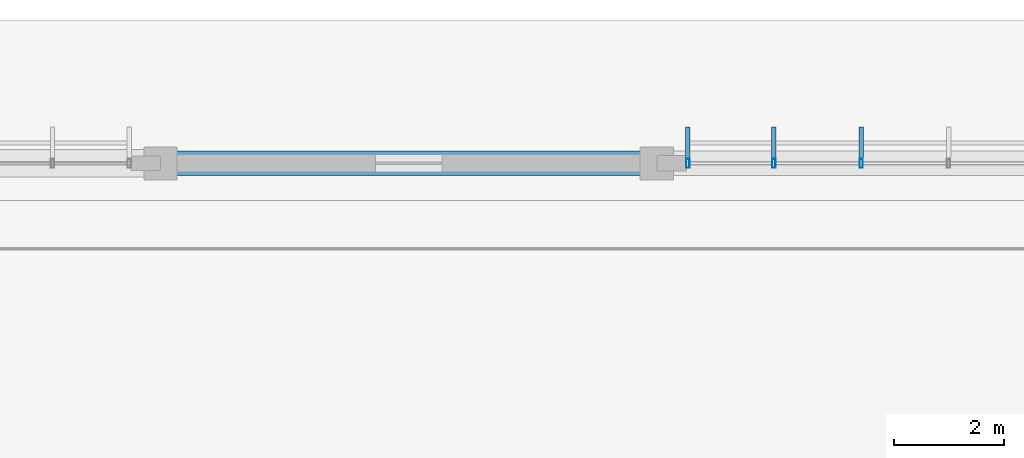
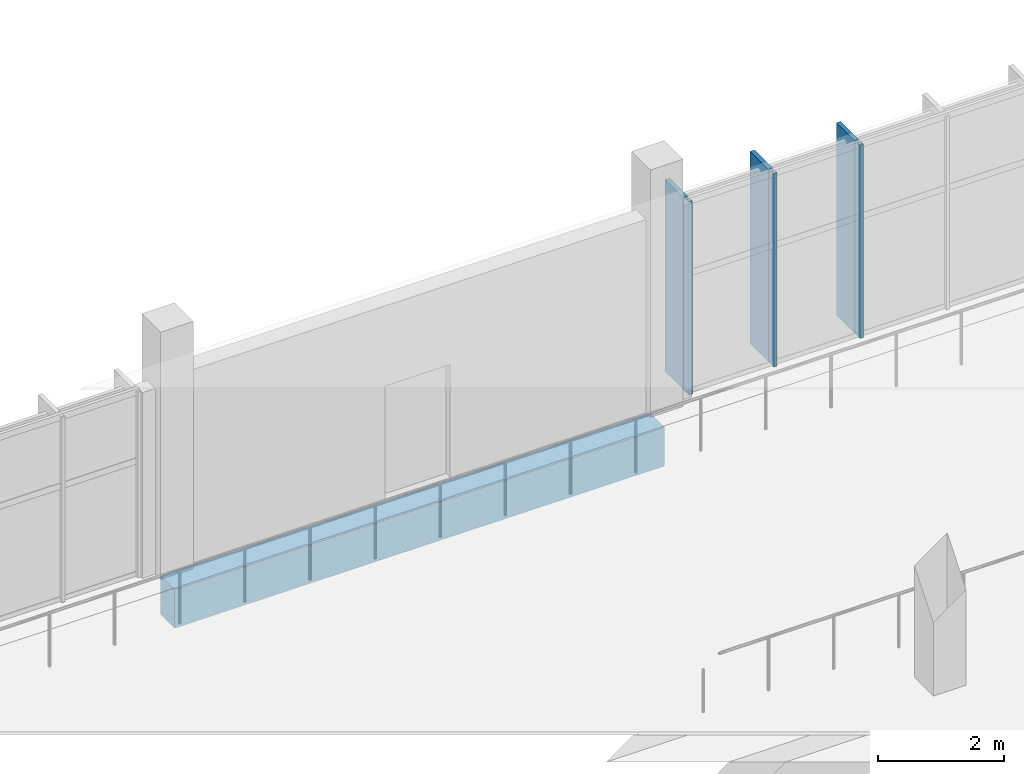
# One storey, part 103 of 151: 6 members, 1 beam, 1 element without a shape of its own.
"""IFC4 building model written with IfcOpenShell, lengths in metres."""

from ifc_helpers import new_model, si_unit, direction, frame, origin, origin_2d, place, context, subcontext, project, spatial, rectangle, hollow_rectangle, extrude, material, material_profile, profile_set, type_object, element, aggregate, save


model = new_model("IFC4")

# Units and contexts
model_context = context("Model", 3, precision=1e-05, world=origin(), true_north=direction((0.0, 1.0)))
body_context = subcontext(model_context, "Body", "Model", "MODEL_VIEW")
ifc_project = project(units=[si_unit("LENGTHUNIT", "METRE"), si_unit("AREAUNIT", "SQUARE_METRE"), si_unit("VOLUMEUNIT", "CUBIC_METRE"), si_unit("PLANEANGLEUNIT", "RADIAN"), si_unit("MASSUNIT", "GRAM", prefix="KILO")], contexts=[model_context])

# Site, building, storey
site_placement = place(None, origin())
site = spatial("IfcSite", under=ifc_project, at=site_placement, CompositionType="ELEMENT")
building_placement = place(site_placement, origin())
building = spatial("IfcBuilding", under=site, at=building_placement, Name="Chiffa Square Polytechnic", CompositionType="ELEMENT")
storey_placement = place(building_placement, origin())
storey = spatial("IfcBuildingStorey", under=building, at=storey_placement, Name="L00", CompositionType="ELEMENT", Elevation=0.0)

# Beam
ifc_material_1 = material(Name="Concrete C35/45", Category="concrete")
ifc_material_profile_1 = material_profile(ifc_material_1, rectangle(XDim=0.449951171875, YDim=0.75, at=origin_2d()), Name="RC 450x750")
ifc_profile_set_1 = profile_set([ifc_material_profile_1], Name="Concrete C35/45")
beam_type = type_object("IfcBeamType", Name="BM-RC-450X750", PredefinedType="BEAM", material=ifc_profile_set_1)
beam_placement = place(storey_placement, frame((121.199951171875, 130.800048828125, -0.72509765625), z_axis=(1.0, 0.0, 0.0), x_axis=(0.0, 1.0, 0.0)))
element("IfcBeam", 1, at=beam_placement, inside=storey, type_object=beam_type, Name="Primary floor girder BM-V5-L00-X-1212-1308", PredefinedType="BEAM", context=body_context, shape_type="SweptSolid", body=[
    extrude(rectangle(XDim=0.449951171875, YDim=0.75, at=origin_2d()), origin(), (0.0, 0.0, 1.0), 9.0),
])

# Curtain wall, members
ifc_material_2 = material(Name="Aluminium EN AW-6060 T66 and glulam shading", Category="wood")
curtain_wall_type = type_object("IfcCurtainWallType", Name="CW-VERT-540X440", PredefinedType="USERDEFINED", material=ifc_material_2)
curtain_wall_placement = place(storey_placement, origin())
curtain_wall = element("IfcCurtainWall", 2, at=curtain_wall_placement, inside=storey, type_object=curtain_wall_type, Name="Curtain wall CW-V5-L00-191", ObjectType="CURTAIN WALL", PredefinedType="USERDEFINED")
ifc_material_3 = material(Name="Aluminium EN AW-6060 T66", Category="aluminium")
ifc_material_profile_2 = material_profile(ifc_material_3, hollow_rectangle(XDim=0.06005859375, YDim=0.159912109375, WallThickness=0.00390625, at=origin_2d()), Name="ALU 60x160x4")
ifc_profile_set_2 = profile_set([ifc_material_profile_2], Name="Aluminium EN AW-6060 T66")
member_type_1 = type_object("IfcMemberType", Name="CWM-ALU-65X150", PredefinedType="MULLION", material=ifc_profile_set_2)
member_1_placement = place(storey_placement, frame((133.907958984375, 130.800048828125, 0.0), z_axis=(0.0, 0.0, 1.0), x_axis=(1.0, 0.0, 0.0)))
member_1 = element("IfcMember", 3, at=member_1_placement, type_object=member_type_1, Name="Curtain wall mullion CW-V5-L00-191-M03", PredefinedType="MULLION", context=body_context, shape_type="SweptSolid", body=[
    extrude(hollow_rectangle(XDim=0.06005859375, YDim=0.159912109375, WallThickness=0.00390625, at=origin_2d()), origin(), (0.0, 0.0, 1.0), 3.7548828125),
])
member_2_placement = place(storey_placement, frame((132.323974609375, 130.800048828125, 0.0), z_axis=(0.0, 0.0, 1.0), x_axis=(1.0, 0.0, 0.0)))
member_2 = element("IfcMember", 4, at=member_2_placement, type_object=member_type_1, Name="Curtain wall mullion CW-V5-L00-191-M04", PredefinedType="MULLION", context=body_context, shape_type="SweptSolid", body=[
    extrude(hollow_rectangle(XDim=0.06005859375, YDim=0.159912109375, WallThickness=0.00390625, at=origin_2d()), origin(), (0.0, 0.0, 1.0), 3.7548828125),
])
member_3_placement = place(storey_placement, frame((130.764892578125, 130.800048828125, 0.0), z_axis=(0.0, 0.0, 1.0), x_axis=(1.0, 0.0, 0.0)))
member_3 = element("IfcMember", 5, at=member_3_placement, type_object=member_type_1, Name="Curtain wall mullion CW-V5-L00-191-M05", PredefinedType="MULLION", context=body_context, shape_type="SweptSolid", body=[
    extrude(hollow_rectangle(XDim=0.06005859375, YDim=0.159912109375, WallThickness=0.00390625, at=origin_2d()), origin(), (0.0, 0.0, 1.0), 3.7548828125),
])
ifc_material_4 = material(Name="Glulam GL28h", Category="wood")
ifc_material_profile_3 = material_profile(ifc_material_4, rectangle(XDim=0.080078125, YDim=0.580078125, at=origin_2d()), Name="GL28h 80x580")
ifc_profile_set_3 = profile_set([ifc_material_profile_3], Name="Glulam GL28h")
member_type_2 = type_object("IfcMemberType", Name="CWM-GL-80X580", PredefinedType="MULLION", material=ifc_profile_set_3)
member_4_placement = place(storey_placement, frame((133.907958984375, 131.172119140625, 0.010009765625), z_axis=(0.0, 0.0, 1.0), x_axis=(-1.0, 0.0, 0.0)))
member_4 = element("IfcMember", 6, at=member_4_placement, type_object=member_type_2, Name="Exterior glulam solar fin CW-V5-L00-191-FN03", PredefinedType="MULLION", context=body_context, shape_type="SweptSolid", body=[
    extrude(rectangle(XDim=0.080078125, YDim=0.580078125, at=origin_2d()), origin(), (0.0, 0.0, 1.0), 3.735107421875),
])
member_5_placement = place(storey_placement, frame((132.323974609375, 131.172119140625, 0.010009765625), z_axis=(0.0, 0.0, 1.0), x_axis=(-1.0, 0.0, 0.0)))
member_5 = element("IfcMember", 7, at=member_5_placement, type_object=member_type_2, Name="Exterior glulam solar fin CW-V5-L00-191-FN04", PredefinedType="MULLION", context=body_context, shape_type="SweptSolid", body=[
    extrude(rectangle(XDim=0.080078125, YDim=0.580078125, at=origin_2d()), origin(), (0.0, 0.0, 1.0), 3.735107421875),
])
member_6_placement = place(storey_placement, frame((130.764892578125, 131.172119140625, 0.010009765625), z_axis=(0.0, 0.0, 1.0), x_axis=(-1.0, 0.0, 0.0)))
member_6 = element("IfcMember", 8, at=member_6_placement, type_object=member_type_2, Name="Exterior glulam solar fin CW-V5-L00-191-FN05", PredefinedType="MULLION", context=body_context, shape_type="SweptSolid", body=[
    extrude(rectangle(XDim=0.080078125, YDim=0.580078125, at=origin_2d()), origin(), (0.0, 0.0, 1.0), 3.735107421875),
])
aggregate(curtain_wall, [member_1, member_4, member_2, member_5, member_3, member_6])

save(model, "model.ifc")
